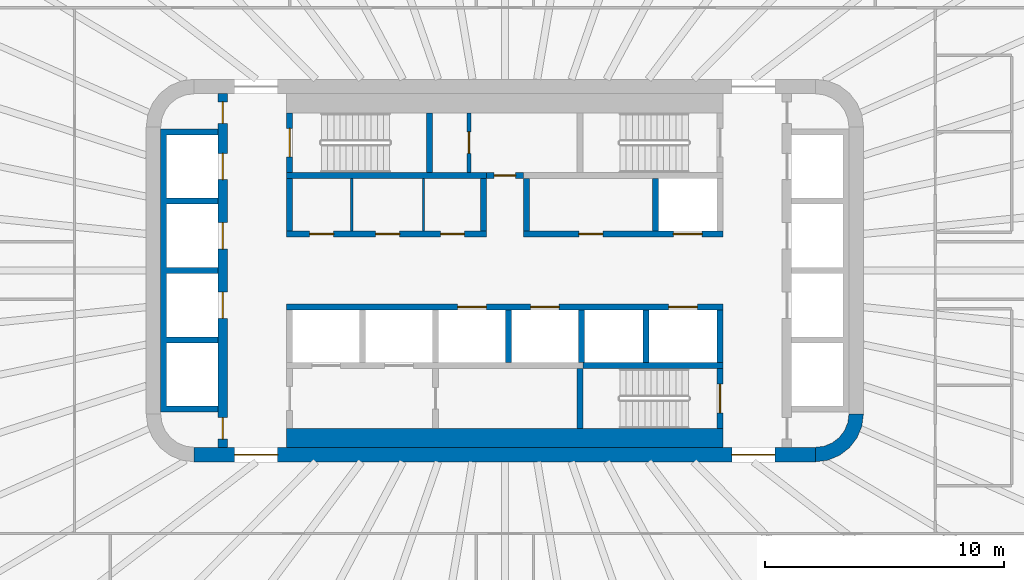
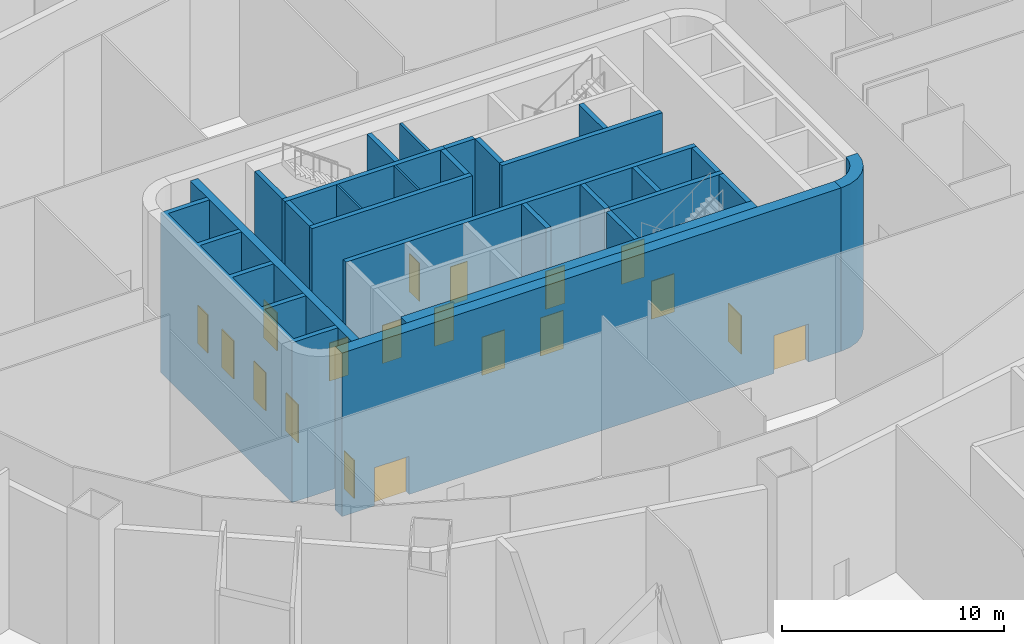
# One storey, part 9 of 35: 26 walls, 19 doors, 19 openings.
"""IFC4 building model written with IfcOpenShell, lengths in metres."""

import ifcopenshell
import ifcopenshell.guid

model = None  # the IFC model being written
_history = None  # IfcOwnerHistory: only IFC2X3 demands one
_inside = {}  # id of a spatial element -> (the spatial element, [elements in it])
_under = {}  # id of a project, library or spatial element -> (it, [spatial elements below it])
_declared = {}  # id of a project -> (the project, [libraries it declares])
_typed = {}  # id of a type object -> (the type object, [elements of that type])
_made_of = {}  # id of a material, layer set ... -> (it, [elements and type objects made of it])


def new_model(schema):
    """Start an empty IFC model of exactly this schema.

    Asked for "IFC4X3", IfcOpenShell would pick the latest addendum, in which some entities
    have other attributes; the version numbers below select the first issue.
    IFC2X3 requires an IfcOwnerHistory on every rooted entity: one is made here for all.
    """
    global model, _history
    if schema == "IFC4X3":
        model = ifcopenshell.file(schema_version=(4, 3, 0, 0))
    else:
        model = ifcopenshell.file(schema=schema)
    _inside.clear()
    _under.clear()
    _declared.clear()
    _typed.clear()
    _made_of.clear()
    _history = None
    if model.schema == "IFC2X3":
        org = make("IfcOrganization", Name="unknown")
        user = make(
            "IfcPersonAndOrganization",
            ThePerson=make("IfcPerson", FamilyName="unknown"),
            TheOrganization=org,
        )
        app = make(
            "IfcApplication",
            ApplicationDeveloper=org,
            Version="unknown",
            ApplicationFullName="unknown",
            ApplicationIdentifier="unknown",
        )
        _history = make(
            "IfcOwnerHistory",
            OwningUser=user,
            OwningApplication=app,
            ChangeAction="ADDED",
            CreationDate=0,
        )
    return model


def make(cls, **values):
    """One entity of the class cls with the attributes given. An attribute that is None is left unset."""
    return model.create_entity(
        cls, **{name: value for name, value in values.items() if value is not None}
    )


def rooted(cls, **values):
    """An entity with a GlobalId (a new one), such as an element, a storey or a relation."""
    return make(cls, GlobalId=ifcopenshell.guid.new(), OwnerHistory=_history, **values)


def si_unit(unit_type, name, prefix=None):
    """IfcSIUnit, for example si_unit("LENGTHUNIT", "METRE", prefix="MILLI")."""
    return make("IfcSIUnit", UnitType=unit_type, Prefix=prefix, Name=name)


def assignment(units):
    """IfcUnitAssignment: the units of a project."""
    return None if units is None else make("IfcUnitAssignment", Units=units)


def point(xyz):
    """IfcCartesianPoint."""
    return None if xyz is None else make("IfcCartesianPoint", Coordinates=xyz)


def direction(xyz):
    """IfcDirection."""
    return None if xyz is None else make("IfcDirection", DirectionRatios=xyz)


def frame(location, z_axis=None, x_axis=None):
    """IfcAxis2Placement3D, a coordinate frame: its origin and axes. An axis left out is left unset."""
    return make(
        "IfcAxis2Placement3D",
        Location=point(location),
        Axis=direction(z_axis),
        RefDirection=direction(x_axis),
    )


def frame_2d(location, x_axis=None):
    """IfcAxis2Placement2D, a coordinate frame in the plane: its origin and x axis."""
    return make(
        "IfcAxis2Placement2D", Location=point(location), RefDirection=direction(x_axis)
    )


def origin():
    """The frame at (0, 0, 0) with its axes left unset."""
    return frame((0.0, 0.0, 0.0))


def place(relative_to, where):
    """IfcLocalPlacement: puts the frame where relative to a parent placement (None: the world)."""
    return make(
        "IfcLocalPlacement", PlacementRelTo=relative_to, RelativePlacement=where
    )


def context(
    kind, dimensions, precision=None, world=None, true_north=None, identifier=None
):
    """IfcGeometricRepresentationContext, for example the 3D "Model" context."""
    return make(
        "IfcGeometricRepresentationContext",
        ContextIdentifier=identifier,
        ContextType=kind,
        CoordinateSpaceDimension=dimensions,
        Precision=precision,
        WorldCoordinateSystem=world,
        TrueNorth=true_north,
    )


def subcontext(parent, identifier, kind, view, scale=None):
    """IfcGeometricRepresentationSubContext, for example "Body" below "Model"."""
    return make(
        "IfcGeometricRepresentationSubContext",
        ContextIdentifier=identifier,
        ContextType=kind,
        ParentContext=parent,
        TargetScale=scale,
        TargetView=view,
    )


def project(units=None, contexts=None):
    """IfcProject with its units and contexts."""
    return rooted(
        "IfcProject",
        Name="project",
        RepresentationContexts=contexts,
        UnitsInContext=assignment(units),
    )


def spatial(cls, under=None, at=None, **own):
    """A site, building, storey or space (cls), placed at a placement, below another one or the project."""
    s = rooted(cls, ObjectPlacement=at, **own)
    if under is not None:
        _under.setdefault(under.id(), (under, []))[1].append(s)
    return s


def polyline(points):
    """IfcPolyline through the points."""
    return make("IfcPolyline", Points=[point(p) for p in points])


def profile(cls, at=None, kind="AREA", **sizes):
    """A parametric profile (cls). Its sizes go by their IFC names, for example OverallWidth=200.0."""
    return make(cls, ProfileType=kind, Position=at, **sizes)


def rectangle(**sizes):
    """IfcRectangleProfileDef."""
    return profile("IfcRectangleProfileDef", **sizes)


def outline(outer, holes=None, kind="AREA"):
    """IfcArbitraryClosedProfileDef: a profile drawn as a closed curve; with holes, ...WithVoids."""
    if holes is None:
        return make("IfcArbitraryClosedProfileDef", ProfileType=kind, OuterCurve=outer)
    return make(
        "IfcArbitraryProfileDefWithVoids",
        ProfileType=kind,
        OuterCurve=outer,
        InnerCurves=holes,
    )


def extrude(swept, where, along, depth):
    """IfcExtrudedAreaSolid: the profile swept, set in the frame where, extruded along a direction by depth."""
    return make(
        "IfcExtrudedAreaSolid",
        SweptArea=swept,
        Position=where,
        ExtrudedDirection=direction(along),
        Depth=depth,
    )


def shape(context_of_items, identifier, shape_type, items):
    """IfcShapeRepresentation: the items that make up one representation, for example the "Body"."""
    return make(
        "IfcShapeRepresentation",
        ContextOfItems=context_of_items,
        RepresentationIdentifier=identifier,
        RepresentationType=shape_type,
        Items=items,
    )


def material(Name=None, Category=None):
    """IfcMaterial."""
    return make("IfcMaterial", Name=Name, Category=Category)


def layer(
    of_material, thickness, ventilated=None, Name=None, Category=None, Priority=None
):
    """IfcMaterialLayer: one layer of a wall or slab, of a material (None: an air gap)."""
    return make(
        "IfcMaterialLayer",
        Material=of_material,
        LayerThickness=thickness,
        IsVentilated=ventilated,
        Name=Name,
        Category=Category,
        Priority=Priority,
    )


def layer_set(layers, Name=None):
    """IfcMaterialLayerSet."""
    return make("IfcMaterialLayerSet", MaterialLayers=layers, LayerSetName=Name)


def made_of(thing, what):
    """Note that an element or type object is made of a material, layer set ...; save() writes the relation."""
    if what is not None:
        _made_of.setdefault(what.id(), (what, []))[1].append(thing)
    return thing


def type_object(cls, material=None, **own):
    """A type object (cls), such as IfcWallType, which elements share."""
    return made_of(rooted(cls, **own), material)


def element(
    cls,
    number,
    at=None,
    inside=None,
    cuts=None,
    type_object=None,
    material=None,
    context=None,
    identifier="Body",
    shape_type=None,
    held_by="IfcProductDefinitionShape",
    body=None,
    shapes=None,
    **own,
):
    """One element of the class cls, such as IfcWall. Its Tag is "e" and its number.

    at: its placement. inside: the storey or other place that contains it. cuts: it is an
    opening in that element (IfcRelVoidsElement). A single representation is given by context,
    identifier, shape_type and body (its items); several are given by shapes. held_by: the class
    of the entity that holds the representations. save() writes the other relations.
    """
    e = rooted(cls, Tag="e%d" % number, ObjectPlacement=at, **own)
    if body is not None:
        shapes = [shape(context, identifier, shape_type, body)]
    if shapes is not None:
        e.Representation = make(held_by, Representations=shapes)
    if inside is not None:
        _inside.setdefault(inside.id(), (inside, []))[1].append(e)
    if cuts is not None:
        rooted(
            "IfcRelVoidsElement", RelatingBuildingElement=cuts, RelatedOpeningElement=e
        )
    if type_object is not None:
        _typed.setdefault(type_object.id(), (type_object, []))[1].append(e)
    return made_of(e, material)


def fill(opening, filler):
    """IfcRelFillsElement: the door or window that sits in an opening."""
    return rooted(
        "IfcRelFillsElement",
        RelatingOpeningElement=opening,
        RelatedBuildingElement=filler,
    )


def aggregate(whole, parts):
    """IfcRelAggregates: a whole, such as a stair, and the parts it consists of."""
    return rooted("IfcRelAggregates", RelatingObject=whole, RelatedObjects=parts)


def save(model, path):
    """Write the relations noted so far, then the file.

    IfcRelAggregates (storeys below a building ...), IfcRelContainedInSpatialStructure (elements
    in a storey), IfcRelDefinesByType, IfcRelAssociatesMaterial and IfcRelDeclares: one each for
    every whole, place, type object, material and project.
    """
    for whole, parts in _under.values():
        aggregate(whole, parts)
    for where, things in _inside.values():
        rooted(
            "IfcRelContainedInSpatialStructure",
            RelatedElements=things,
            RelatingStructure=where,
        )
    for kind, things in _typed.values():
        rooted("IfcRelDefinesByType", RelatedObjects=things, RelatingType=kind)
    for what, things in _made_of.values():
        rooted("IfcRelAssociatesMaterial", RelatedObjects=things, RelatingMaterial=what)
    for by, libraries in _declared.values():
        rooted("IfcRelDeclares", RelatingContext=by, RelatedDefinitions=libraries)
    model.write(path)


model = new_model("IFC4")

# Units and contexts
model_context = context("Model", 3, precision=1e-05, world=origin(), true_north=direction((0.0, 1.0)))
body_context = subcontext(model_context, "Body", "Model", "MODEL_VIEW")
ifc_project = project(units=[si_unit("LENGTHUNIT", "METRE"), si_unit("AREAUNIT", "SQUARE_METRE"), si_unit("VOLUMEUNIT", "CUBIC_METRE"), si_unit("PLANEANGLEUNIT", "RADIAN"), si_unit("MASSUNIT", "GRAM", prefix="KILO")], contexts=[model_context])

# Site, building, storey
site_placement = place(None, origin())
site = spatial("IfcSite", under=ifc_project, at=site_placement, CompositionType="ELEMENT")
building_placement = place(site_placement, origin())
building = spatial("IfcBuilding", under=site, at=building_placement, Name="Sahrelin Media Tower", CompositionType="ELEMENT")
storey_placement = place(building_placement, frame((0.0, 0.0, 17.0)))
storey = spatial("IfcBuildingStorey", under=building, at=storey_placement, Name="L02", CompositionType="ELEMENT", Elevation=17.0)

# Wall, openings, doors
ifc_material_1 = material(Name="Concrete C60/75", Category="concrete")
ifc_layer_1 = layer(ifc_material_1, 0.60009765625)
ifc_layer_set_1 = layer_set([ifc_layer_1], Name="Core wall 600")
wall_type_1 = type_object("IfcWallType", Name="Core wall 600", PredefinedType="SHEAR", material=ifc_layer_set_1)
wall_1_placement = place(storey_placement, frame((-13.0, -7.699951171875, 0.0), z_axis=(0.0, 0.0, 1.0), x_axis=(1.0, 0.0, 0.0)))
wall_1 = element("IfcWall", 1, at=wall_1_placement, inside=storey, type_object=wall_type_1, Name="Core wall S L02", PredefinedType="SHEAR", context=body_context, shape_type="SweptSolid", body=[
    extrude(rectangle(XDim=26.0, YDim=0.60009765625, at=frame_2d((13.0, 0.0))), origin(), (0.0, 0.0, 1.0), 9.0),
])
opening_1_placement = place(wall_1_placement, frame((1.699951171875, 0.0, 0.0)))
opening_1 = element("IfcOpeningElement", 2, at=opening_1_placement, cuts=wall_1, Name="Opening L02-D18", PredefinedType="OPENING", context=body_context, shape_type="SweptSolid", body=[
    extrude(rectangle(XDim=1.800048828125, YDim=2.10009765625, at=frame_2d((0.89990234375, 1.050048828125))), frame((0.0, 0.300048828125, 0.0), z_axis=(0.0, -1.0, 0.0), x_axis=(1.0, 0.0, 0.0)), (0.0, 0.0, 1.0), 0.60009765625),
])
opening_2_placement = place(wall_1_placement, frame((22.5, 0.0, 0.0)))
opening_2 = element("IfcOpeningElement", 3, at=opening_2_placement, cuts=wall_1, Name="Opening L02-D19", PredefinedType="OPENING", context=body_context, shape_type="SweptSolid", body=[
    extrude(rectangle(XDim=1.800048828125, YDim=2.10009765625, at=frame_2d((0.89990234375, 1.050048828125))), frame((0.0, 0.300048828125, 0.0), z_axis=(0.0, -1.0, 0.0), x_axis=(1.0, 0.0, 0.0)), (0.0, 0.0, 1.0), 0.60009765625),
])
ifc_material_2 = material(Name="Steel fire door leaf", Category="steel")
door_type_1 = type_object("IfcDoorType", Name="Lobby double door 1800 x 2100 EI 60", OperationType="DOUBLE_DOOR_SINGLE_SWING", PredefinedType="DOOR", material=ifc_material_2)
door_1_placement = place(opening_1_placement, origin())
door_1 = element("IfcDoor", 4, at=door_1_placement, inside=storey, type_object=door_type_1, Name="Lobby door", OperationType="DOUBLE_DOOR_SINGLE_SWING", OverallHeight=2.10009765625, OverallWidth=1.800048828125, PredefinedType="DOOR", context=body_context, shape_type="SweptSolid", body=[
    extrude(rectangle(XDim=1.800048828125, YDim=2.10009765625, at=frame_2d((0.89990234375, 1.050048828125))), frame((0.0, 0.02490234375, 0.0), z_axis=(0.0, -1.0, 0.0), x_axis=(1.0, 0.0, 0.0)), (0.0, 0.0, 1.0), 0.050048828125),
])
fill(opening_1, door_1)
door_2_placement = place(opening_2_placement, origin())
door_2 = element("IfcDoor", 5, at=door_2_placement, inside=storey, type_object=door_type_1, Name="Lobby door", OperationType="DOUBLE_DOOR_SINGLE_SWING", OverallHeight=2.10009765625, OverallWidth=1.800048828125, PredefinedType="DOOR", context=body_context, shape_type="SweptSolid", body=[
    extrude(rectangle(XDim=1.800048828125, YDim=2.10009765625, at=frame_2d((0.89990234375, 1.050048828125))), frame((0.0, 0.02490234375, 0.0), z_axis=(0.0, -1.0, 0.0), x_axis=(1.0, 0.0, 0.0)), (0.0, 0.0, 1.0), 0.050048828125),
])
fill(opening_2, door_2)

# Wall
placement = place(storey_placement, origin())
element("IfcWall", 6, at=placement, inside=storey, type_object=wall_type_1, Name="Core wall corner SE L02", PredefinedType="SHEAR", context=body_context, shape_type="SweptSolid", body=[
    extrude(outline(polyline([(15.0, -6.0), (14.394775390625, -6.0), (14.347412109375, -6.361083984375), (14.2080078125, -6.697509765625), (13.986328125, -6.986328125), (13.697509765625, -7.2080078125), (13.361083984375, -7.347412109375), (13.0, -7.394775390625), (13.0, -8.0), (13.517578125, -7.931884765625), (14.0, -7.732177734375), (14.414306640625, -7.414306640625), (14.732177734375, -7.0), (14.931884765625, -6.517578125), (15.0, -6.0)])), origin(), (0.0, 0.0, 1.0), 9.0),
])

# Wall, opening, door
ifc_material_3 = material(Name="Fire-rated gypsum board partition")
ifc_layer_2 = layer(ifc_material_3, 0.25)
ifc_layer_set_2 = layer_set([ifc_layer_2], Name="Fire-rated lobby wall 250")
wall_type_2 = type_object("IfcWallType", Name="Fire-rated lobby wall 250", PredefinedType="PARTITIONING", material=ifc_layer_set_2)
wall_3_placement = place(storey_placement, frame((-0.77490234375, 3.97509765625, 0.0), z_axis=(0.0, 0.0, 1.0), x_axis=(1.0, 0.0, 0.0)))
wall_3 = element("IfcWall", 7, at=wall_3_placement, inside=storey, type_object=wall_type_2, Name="Core lobby wall", PredefinedType="PARTITIONING", context=body_context, shape_type="SweptSolid", body=[
    extrude(rectangle(XDim=1.5498046875, YDim=0.25, at=frame_2d((0.77490234375, 0.0))), origin(), (0.0, 0.0, 1.0), 8.800048828125),
])
opening_3_placement = place(wall_3_placement, frame((0.324951171875, 0.0, 0.0)))
opening_3 = element("IfcOpeningElement", 8, at=opening_3_placement, cuts=wall_3, Name="Opening L02-D06", PredefinedType="OPENING", context=body_context, shape_type="SweptSolid", body=[
    extrude(rectangle(XDim=0.89990234375, YDim=2.10009765625, at=frame_2d((0.449951171875, 1.050048828125))), frame((0.0, 0.125, 0.0), z_axis=(0.0, -1.0, 0.0), x_axis=(1.0, 0.0, 0.0)), (0.0, 0.0, 1.0), 0.25),
])
door_type_2 = type_object("IfcDoorType", Name="Riser door 900 x 2100 EI 120", OperationType="NOTDEFINED", PredefinedType="DOOR", material=ifc_material_2)
door_3_placement = place(opening_3_placement, origin())
door_3 = element("IfcDoor", 9, at=door_3_placement, inside=storey, type_object=door_type_2, Name="Core room door", OperationType="SINGLE_SWING_LEFT", OverallHeight=2.10009765625, OverallWidth=0.89990234375, PredefinedType="DOOR", context=body_context, shape_type="SweptSolid", body=[
    extrude(rectangle(XDim=0.89990234375, YDim=2.10009765625, at=frame_2d((0.449951171875, 1.050048828125))), frame((0.0, 0.02490234375, 0.0), z_axis=(0.0, -1.0, 0.0), x_axis=(1.0, 0.0, 0.0)), (0.0, 0.0, 1.0), 0.050048828125),
])
fill(opening_3, door_3)

# Wall, openings, doors
wall_4_placement = place(storey_placement, frame((-9.125, 1.52490234375, 0.0), z_axis=(0.0, 0.0, 1.0), x_axis=(1.0, 0.0, 0.0)))
wall_4 = element("IfcWall", 10, at=wall_4_placement, inside=storey, type_object=wall_type_2, Name="Core lobby wall", PredefinedType="PARTITIONING", context=body_context, shape_type="SweptSolid", body=[
    extrude(rectangle(XDim=8.35009765625, YDim=0.25, at=frame_2d((4.175048828125, 0.0))), origin(), (0.0, 0.0, 1.0), 8.800048828125),
])
opening_4_placement = place(wall_4_placement, frame((0.96240234375, 0.0, 0.0)))
opening_4 = element("IfcOpeningElement", 11, at=opening_4_placement, cuts=wall_4, Name="Opening L02-D08", PredefinedType="OPENING", context=body_context, shape_type="SweptSolid", body=[
    extrude(rectangle(XDim=1.0, YDim=2.10009765625, at=frame_2d((0.5, 1.050048828125))), frame((0.0, 0.125, 0.0), z_axis=(0.0, -1.0, 0.0), x_axis=(1.0, 0.0, 0.0)), (0.0, 0.0, 1.0), 0.25),
])
opening_5_placement = place(wall_4_placement, frame((3.72509765625, 0.0, 0.0)))
opening_5 = element("IfcOpeningElement", 12, at=opening_5_placement, cuts=wall_4, Name="Opening L02-D09", PredefinedType="OPENING", context=body_context, shape_type="SweptSolid", body=[
    extrude(rectangle(XDim=1.0, YDim=2.10009765625, at=frame_2d((0.5, 1.050048828125))), frame((0.0, 0.125, 0.0), z_axis=(0.0, -1.0, 0.0), x_axis=(1.0, 0.0, 0.0)), (0.0, 0.0, 1.0), 0.25),
])
opening_6_placement = place(wall_4_placement, frame((6.4375, 0.0, 0.0)))
opening_6 = element("IfcOpeningElement", 13, at=opening_6_placement, cuts=wall_4, Name="Opening L02-D10", PredefinedType="OPENING", context=body_context, shape_type="SweptSolid", body=[
    extrude(rectangle(XDim=1.0, YDim=2.10009765625, at=frame_2d((0.5, 1.050048828125))), frame((0.0, 0.125, 0.0), z_axis=(0.0, -1.0, 0.0), x_axis=(1.0, 0.0, 0.0)), (0.0, 0.0, 1.0), 0.25),
])
door_type_3 = type_object("IfcDoorType", Name="Fire door 1000 x 2100 EI 60", OperationType="NOTDEFINED", PredefinedType="DOOR", material=ifc_material_2)
door_4_placement = place(opening_4_placement, origin())
door_4 = element("IfcDoor", 14, at=door_4_placement, inside=storey, type_object=door_type_3, Name="Core room door", OperationType="SINGLE_SWING_LEFT", OverallHeight=2.10009765625, OverallWidth=1.0, PredefinedType="DOOR", context=body_context, shape_type="SweptSolid", body=[
    extrude(rectangle(XDim=1.0, YDim=2.10009765625, at=frame_2d((0.5, 1.050048828125))), frame((0.0, 0.02490234375, 0.0), z_axis=(0.0, -1.0, 0.0), x_axis=(1.0, 0.0, 0.0)), (0.0, 0.0, 1.0), 0.050048828125),
])
fill(opening_4, door_4)
door_5_placement = place(opening_5_placement, origin())
door_5 = element("IfcDoor", 15, at=door_5_placement, inside=storey, type_object=door_type_3, Name="Core room door", OperationType="SINGLE_SWING_LEFT", OverallHeight=2.10009765625, OverallWidth=1.0, PredefinedType="DOOR", context=body_context, shape_type="SweptSolid", body=[
    extrude(rectangle(XDim=1.0, YDim=2.10009765625, at=frame_2d((0.5, 1.050048828125))), frame((0.0, 0.02490234375, 0.0), z_axis=(0.0, -1.0, 0.0), x_axis=(1.0, 0.0, 0.0)), (0.0, 0.0, 1.0), 0.050048828125),
])
fill(opening_5, door_5)
door_6_placement = place(opening_6_placement, origin())
door_6 = element("IfcDoor", 16, at=door_6_placement, inside=storey, type_object=door_type_3, Name="Core room door", OperationType="SINGLE_SWING_LEFT", OverallHeight=2.10009765625, OverallWidth=1.0, PredefinedType="DOOR", context=body_context, shape_type="SweptSolid", body=[
    extrude(rectangle(XDim=1.0, YDim=2.10009765625, at=frame_2d((0.5, 1.050048828125))), frame((0.0, 0.02490234375, 0.0), z_axis=(0.0, -1.0, 0.0), x_axis=(1.0, 0.0, 0.0)), (0.0, 0.0, 1.0), 0.050048828125),
])
fill(opening_6, door_6)

# Walls
for number, where, z_axis, x_axis, name in (
    (17, (-9.0, 1.64990234375, 0.0), (0.0, 0.0, 1.0), (0.0, 1.0, 0.0), "Core lobby wall"),
    (18, (-0.89990234375, 1.64990234375, 0.0), (0.0, 0.0, 1.0), (0.0, 1.0, 0.0), "Core lobby wall"),
    (19, (0.89990234375, 1.64990234375, 0.0), (0.0, 0.0, 1.0), (0.0, 1.0, 0.0), "Core lobby wall"),
):
    element("IfcWall", number, at=place(storey_placement, frame(where, z_axis=z_axis, x_axis=x_axis)), inside=storey, type_object=wall_type_2, Name=name, PredefinedType="PARTITIONING", context=body_context, shape_type="SweptSolid", body=[
        extrude(rectangle(XDim=2.2001953125, YDim=0.25, at=frame_2d((1.10009765625, 0.0))), origin(), (0.0, 0.0, 1.0), 8.800048828125),
    ])
ifc_layer_3 = layer(ifc_material_3, 0.10009765625)
ifc_layer_set_3 = layer_set([ifc_layer_3], Name="Fire-rated partition 100")
wall_type_3 = type_object("IfcWallType", Name="Fire-rated partition 100", PredefinedType="PARTITIONING", material=ifc_layer_set_3)
for number, where, z_axis, x_axis, name in (
    (20, (-6.39990234375, 1.64990234375, 0.0), (0.0, 0.0, 1.0), (0.0, 1.0, 0.0), "Core room partition"),
    (21, (-3.39990234375, 1.64990234375, 0.0), (0.0, 0.0, 1.0), (0.0, 1.0, 0.0), "Core room partition"),
):
    element("IfcWall", number, at=place(storey_placement, frame(where, z_axis=z_axis, x_axis=x_axis)), inside=storey, type_object=wall_type_3, Name=name, PredefinedType="PARTITIONING", context=body_context, shape_type="SweptSolid", body=[
        extrude(rectangle(XDim=2.2001953125, YDim=0.10009765625, at=frame_2d((1.10009765625, 0.0))), origin(), (0.0, 0.0, 1.0), 8.800048828125),
    ])

# Wall, opening, door
ifc_layer_4 = layer(ifc_material_3, 0.14990234375)
ifc_layer_set_4 = layer_set([ifc_layer_4], Name="Fire-rated partition 150")
wall_type_4 = type_object("IfcWallType", Name="Fire-rated partition 150", PredefinedType="PARTITIONING", material=ifc_layer_set_4)
wall_5_placement = place(storey_placement, frame((-1.5, 4.10009765625, 0.0), z_axis=(0.0, 0.0, 1.0), x_axis=(0.0, 1.0, 0.0)))
wall_5 = element("IfcWall", 22, at=wall_5_placement, inside=storey, type_object=wall_type_4, Name="Core room fire partition", PredefinedType="PARTITIONING", context=body_context, shape_type="SweptSolid", body=[
    extrude(rectangle(XDim=2.5, YDim=0.14990234375, at=frame_2d((1.25, 0.0))), origin(), (0.0, 0.0, 1.0), 8.800048828125),
])
opening_7_placement = place(wall_5_placement, frame((0.800048828125, 0.0, 0.0)))
opening_7 = element("IfcOpeningElement", 23, at=opening_7_placement, cuts=wall_5, Name="Opening L02-D07", PredefinedType="OPENING", context=body_context, shape_type="SweptSolid", body=[
    extrude(rectangle(XDim=0.89990234375, YDim=2.10009765625, at=frame_2d((0.449951171875, 1.050048828125))), frame((0.0, 0.074951171875, 0.0), z_axis=(0.0, -1.0, 0.0), x_axis=(1.0, 0.0, 0.0)), (0.0, 0.0, 1.0), 0.14990234375),
])
door_type_4 = type_object("IfcDoorType", Name="Fire door 900 x 2100 EI 60", OperationType="NOTDEFINED", PredefinedType="DOOR", material=ifc_material_2)
door_7_placement = place(opening_7_placement, origin())
door_7 = element("IfcDoor", 24, at=door_7_placement, inside=storey, type_object=door_type_4, Name="Core room door", OperationType="SINGLE_SWING_LEFT", OverallHeight=2.10009765625, OverallWidth=0.89990234375, PredefinedType="DOOR", context=body_context, shape_type="SweptSolid", body=[
    extrude(rectangle(XDim=0.89990234375, YDim=2.10009765625, at=frame_2d((0.449951171875, 1.050048828125))), frame((0.0, 0.02490234375, 0.0), z_axis=(0.0, -1.0, 0.0), x_axis=(1.0, 0.0, 0.0)), (0.0, 0.0, 1.0), 0.050048828125),
])
fill(opening_7, door_7)

# Wall, openings, doors
ifc_layer_5 = layer(ifc_material_1, 0.25)
ifc_layer_set_5 = layer_set([ifc_layer_5], Name="Lift shaft wall 250")
wall_type_5 = type_object("IfcWallType", Name="Lift shaft wall 250", PredefinedType="SOLIDWALL", material=ifc_layer_set_5)
wall_6_placement = place(storey_placement, frame((0.77490234375, 1.52490234375, 0.0), z_axis=(0.0, 0.0, 1.0), x_axis=(1.0, 0.0, 0.0)))
wall_6 = element("IfcWall", 25, at=wall_6_placement, inside=storey, type_object=wall_type_5, Name="Lift shaft wall", PredefinedType="SOLIDWALL", context=body_context, shape_type="SweptSolid", body=[
    extrude(rectangle(XDim=8.35009765625, YDim=0.25, at=frame_2d((4.175048828125, 0.0))), origin(), (0.0, 0.0, 1.0), 8.800048828125),
])
opening_8_placement = place(wall_6_placement, frame((6.27490234375, 0.0, 0.0)))
opening_8 = element("IfcOpeningElement", 26, at=opening_8_placement, cuts=wall_6, Name="Opening L02-LD-PR2", PredefinedType="OPENING", context=body_context, shape_type="SweptSolid", body=[
    extrude(rectangle(XDim=1.199951171875, YDim=2.10009765625, at=frame_2d((0.60009765625, 1.050048828125))), frame((0.0, 0.125, 0.0), z_axis=(0.0, -1.0, 0.0), x_axis=(1.0, 0.0, 0.0)), (0.0, 0.0, 1.0), 0.25),
])
opening_9_placement = place(wall_6_placement, frame((2.324951171875, 0.0, 0.0)))
opening_9 = element("IfcOpeningElement", 27, at=opening_9_placement, cuts=wall_6, Name="Opening L02-D11", PredefinedType="OPENING", context=body_context, shape_type="SweptSolid", body=[
    extrude(rectangle(XDim=1.0, YDim=2.10009765625, at=frame_2d((0.5, 1.050048828125))), frame((0.0, 0.125, 0.0), z_axis=(0.0, -1.0, 0.0), x_axis=(1.0, 0.0, 0.0)), (0.0, 0.0, 1.0), 0.25),
])
door_8_placement = place(opening_9_placement, origin())
door_8 = element("IfcDoor", 28, at=door_8_placement, inside=storey, type_object=door_type_3, Name="Core room door", OperationType="SINGLE_SWING_LEFT", OverallHeight=2.10009765625, OverallWidth=1.0, PredefinedType="DOOR", context=body_context, shape_type="SweptSolid", body=[
    extrude(rectangle(XDim=1.0, YDim=2.10009765625, at=frame_2d((0.5, 1.050048828125))), frame((0.0, 0.02490234375, 0.0), z_axis=(0.0, -1.0, 0.0), x_axis=(1.0, 0.0, 0.0)), (0.0, 0.0, 1.0), 0.050048828125),
])
fill(opening_9, door_8)
ifc_material_4 = material(Name="Stainless steel", Category="steel")
door_type_5 = type_object("IfcDoorType", Name="Lift landing door 1200 x 2100 EI 120", OperationType="DOUBLE_DOOR_SLIDING", PredefinedType="DOOR", material=ifc_material_4)
door_9_placement = place(opening_8_placement, origin())
door_9 = element("IfcDoor", 29, at=door_9_placement, inside=storey, type_object=door_type_5, Name="Lift landing door PR2", OperationType="DOUBLE_DOOR_SLIDING", OverallHeight=2.10009765625, OverallWidth=1.199951171875, PredefinedType="DOOR", context=body_context, shape_type="SweptSolid", body=[
    extrude(rectangle(XDim=1.199951171875, YDim=2.10009765625, at=frame_2d((0.60009765625, 1.050048828125))), frame((0.0, 0.02490234375, 0.0), z_axis=(0.0, -1.0, 0.0), x_axis=(1.0, 0.0, 0.0)), (0.0, 0.0, 1.0), 0.050048828125),
])
fill(opening_8, door_9)

# Wall
wall_7_placement = place(storey_placement, frame((6.300048828125, 1.64990234375, 0.0), z_axis=(0.0, 0.0, 1.0), x_axis=(0.0, 1.0, 0.0)))
element("IfcWall", 30, at=wall_7_placement, inside=storey, type_object=wall_type_5, Name="Lift shaft wall", PredefinedType="SOLIDWALL", context=body_context, shape_type="SweptSolid", body=[
    extrude(rectangle(XDim=2.2001953125, YDim=0.25, at=frame_2d((1.10009765625, 0.0))), origin(), (0.0, 0.0, 1.0), 8.800048828125),
])

# Wall, openings, doors
wall_8_placement = place(storey_placement, frame((-9.125, -1.52490234375, 0.0), z_axis=(0.0, 0.0, 1.0), x_axis=(1.0, 0.0, 0.0)))
wall_8 = element("IfcWall", 31, at=wall_8_placement, inside=storey, type_object=wall_type_5, Name="Lift shaft wall", PredefinedType="SOLIDWALL", context=body_context, shape_type="SweptSolid", body=[
    extrude(rectangle(XDim=18.25, YDim=0.25, at=frame_2d((9.125, 0.0))), origin(), (0.0, 0.0, 1.0), 8.800048828125),
])
opening_10_placement = place(wall_8_placement, frame((7.14990234375, 0.0, 0.0)))
opening_10 = element("IfcOpeningElement", 32, at=opening_10_placement, cuts=wall_8, Name="Opening L02-LD-SV1", PredefinedType="OPENING", context=body_context, shape_type="SweptSolid", body=[
    extrude(rectangle(XDim=1.199951171875, YDim=2.10009765625, at=frame_2d((0.60009765625, 1.050048828125))), frame((0.0, 0.125, 0.0), z_axis=(0.0, -1.0, 0.0), x_axis=(1.0, 0.0, 0.0)), (0.0, 0.0, 1.0), 0.25),
])
opening_11_placement = place(wall_8_placement, frame((10.199951171875, 0.0, 0.0)))
opening_11 = element("IfcOpeningElement", 33, at=opening_11_placement, cuts=wall_8, Name="Opening L02-LD-SV2", PredefinedType="OPENING", context=body_context, shape_type="SweptSolid", body=[
    extrude(rectangle(XDim=1.199951171875, YDim=2.10009765625, at=frame_2d((0.60009765625, 1.050048828125))), frame((0.0, 0.125, 0.0), z_axis=(0.0, -1.0, 0.0), x_axis=(1.0, 0.0, 0.0)), (0.0, 0.0, 1.0), 0.25),
])
opening_12_placement = place(wall_8_placement, frame((15.97509765625, 0.0, 0.0)))
opening_12 = element("IfcOpeningElement", 34, at=opening_12_placement, cuts=wall_8, Name="Opening L02-LD-PR1", PredefinedType="OPENING", context=body_context, shape_type="SweptSolid", body=[
    extrude(rectangle(XDim=1.199951171875, YDim=2.10009765625, at=frame_2d((0.60009765625, 1.050048828125))), frame((0.0, 0.125, 0.0), z_axis=(0.0, -1.0, 0.0), x_axis=(1.0, 0.0, 0.0)), (0.0, 0.0, 1.0), 0.25),
])
door_10_placement = place(opening_10_placement, origin())
door_10 = element("IfcDoor", 35, at=door_10_placement, inside=storey, type_object=door_type_5, Name="Lift landing door SV1", OperationType="DOUBLE_DOOR_SLIDING", OverallHeight=2.10009765625, OverallWidth=1.199951171875, PredefinedType="DOOR", context=body_context, shape_type="SweptSolid", body=[
    extrude(rectangle(XDim=1.199951171875, YDim=2.10009765625, at=frame_2d((0.60009765625, 1.050048828125))), frame((0.0, 0.02490234375, 0.0), z_axis=(0.0, -1.0, 0.0), x_axis=(1.0, 0.0, 0.0)), (0.0, 0.0, 1.0), 0.050048828125),
])
fill(opening_10, door_10)
door_11_placement = place(opening_11_placement, origin())
door_11 = element("IfcDoor", 36, at=door_11_placement, inside=storey, type_object=door_type_5, Name="Lift landing door SV2", OperationType="DOUBLE_DOOR_SLIDING", OverallHeight=2.10009765625, OverallWidth=1.199951171875, PredefinedType="DOOR", context=body_context, shape_type="SweptSolid", body=[
    extrude(rectangle(XDim=1.199951171875, YDim=2.10009765625, at=frame_2d((0.60009765625, 1.050048828125))), frame((0.0, 0.02490234375, 0.0), z_axis=(0.0, -1.0, 0.0), x_axis=(1.0, 0.0, 0.0)), (0.0, 0.0, 1.0), 0.050048828125),
])
fill(opening_11, door_11)
door_12_placement = place(opening_12_placement, origin())
door_12 = element("IfcDoor", 37, at=door_12_placement, inside=storey, type_object=door_type_5, Name="Lift landing door PR1", OperationType="DOUBLE_DOOR_SLIDING", OverallHeight=2.10009765625, OverallWidth=1.199951171875, PredefinedType="DOOR", context=body_context, shape_type="SweptSolid", body=[
    extrude(rectangle(XDim=1.199951171875, YDim=2.10009765625, at=frame_2d((0.60009765625, 1.050048828125))), frame((0.0, 0.02490234375, 0.0), z_axis=(0.0, -1.0, 0.0), x_axis=(1.0, 0.0, 0.0)), (0.0, 0.0, 1.0), 0.050048828125),
])
fill(opening_12, door_12)

# Walls
wall_9_placement = place(storey_placement, frame((3.27490234375, -3.97509765625, 0.0), z_axis=(0.0, 0.0, 1.0), x_axis=(1.0, 0.0, 0.0)))
element("IfcWall", 38, at=wall_9_placement, inside=storey, type_object=wall_type_5, Name="Lift shaft wall", PredefinedType="SOLIDWALL", context=body_context, shape_type="SweptSolid", body=[
    extrude(rectangle(XDim=5.85009765625, YDim=0.25, at=frame_2d((2.925048828125, 0.0))), origin(), (0.0, 0.0, 1.0), 8.800048828125),
])
for number, where, z_axis, x_axis, name in (
    (39, (0.14990234375, -3.85009765625, 0.0), (0.0, 0.0, 1.0), (0.0, 1.0, 0.0), "Lift shaft wall"),
    (40, (3.199951171875, -3.85009765625, 0.0), (0.0, 0.0, 1.0), (0.0, 1.0, 0.0), "Lift shaft wall"),
    (41, (5.89990234375, -3.85009765625, 0.0), (0.0, 0.0, 1.0), (0.0, 1.0, 0.0), "Lift shaft wall"),
    (42, (9.0, -3.85009765625, 0.0), (0.0, 0.0, 1.0), (0.0, 1.0, 0.0), "Lift shaft wall"),
):
    element("IfcWall", number, at=place(storey_placement, frame(where, z_axis=z_axis, x_axis=x_axis)), inside=storey, type_object=wall_type_5, Name=name, PredefinedType="SOLIDWALL", context=body_context, shape_type="SweptSolid", body=[
        extrude(rectangle(XDim=2.2001953125, YDim=0.25, at=frame_2d((1.10009765625, 0.0))), origin(), (0.0, 0.0, 1.0), 8.800048828125),
    ])
element("IfcWall", 43, at=placement, inside=storey, type_object=wall_type_5, Name="Lift shaft wall", PredefinedType="SOLIDWALL", context=body_context, shape_type="SweptSolid", body=[
    extrude(outline(polyline([(-12.0, -5.925048828125), (-12.0, -5.675048828125), (-14.14990234375, -5.675048828125), (-14.14990234375, -3.02490234375), (-12.0, -3.02490234375), (-12.0, -2.77490234375), (-14.14990234375, -2.77490234375), (-14.14990234375, -0.125), (-12.0, -0.125), (-12.0, 0.125), (-14.14990234375, 0.125), (-14.14990234375, 2.77490234375), (-12.0, 2.77490234375), (-12.0, 3.02490234375), (-14.14990234375, 3.02490234375), (-14.14990234375, 5.675048828125), (-12.0, 5.675048828125), (-12.0, 5.925048828125), (-14.14990234375, 5.925048828125), (-14.39990234375, 5.925048828125), (-14.39990234375, 5.675048828125), (-14.39990234375, 3.02490234375), (-14.39990234375, 2.77490234375), (-14.39990234375, 0.125), (-14.39990234375, -0.125), (-14.39990234375, -2.77490234375), (-14.39990234375, -3.02490234375), (-14.39990234375, -5.675048828125), (-14.39990234375, -5.925048828125), (-14.14990234375, -5.925048828125), (-12.0, -5.925048828125)])), origin(), (0.0, 0.0, 1.0), 8.800048828125),
])

# Wall, openings, doors
ifc_layer_6 = layer(ifc_material_1, 0.39990234375)
ifc_layer_set_6 = layer_set([ifc_layer_6], Name="Lift shaft wall 400")
wall_type_6 = type_object("IfcWallType", Name="Lift shaft wall 400", PredefinedType="SOLIDWALL", material=ifc_layer_set_6)
wall_11_placement = place(storey_placement, frame((-11.800048828125, -7.39990234375, 0.0), z_axis=(0.0, 0.0, 1.0), x_axis=(0.0, 1.0, 0.0)))
wall_11 = element("IfcWall", 44, at=wall_11_placement, inside=storey, type_object=wall_type_6, Name="Lift shaft wall", PredefinedType="SOLIDWALL", context=body_context, shape_type="SweptSolid", body=[
    extrude(rectangle(XDim=14.7998046875, YDim=0.39990234375, at=frame_2d((7.39990234375, 0.0))), origin(), (0.0, 0.0, 1.0), 8.800048828125),
])
opening_13_placement = place(wall_11_placement, frame((11.199951171875, 0.0, 0.0)))
opening_13 = element("IfcOpeningElement", 45, at=opening_13_placement, cuts=wall_11, Name="Opening L02-LD-LR1", PredefinedType="OPENING", context=body_context, shape_type="SweptSolid", body=[
    extrude(rectangle(XDim=1.10009765625, YDim=2.10009765625, at=frame_2d((0.550048828125, 1.050048828125))), frame((0.0, 0.199951171875, 0.0), z_axis=(0.0, -1.0, 0.0), x_axis=(1.0, 0.0, 0.0)), (0.0, 0.0, 1.0), 0.39990234375),
])
opening_14_placement = place(wall_11_placement, frame((8.300048828125, 0.0, 0.0)))
opening_14 = element("IfcOpeningElement", 46, at=opening_14_placement, cuts=wall_11, Name="Opening L02-LD-LR2", PredefinedType="OPENING", context=body_context, shape_type="SweptSolid", body=[
    extrude(rectangle(XDim=1.10009765625, YDim=2.10009765625, at=frame_2d((0.550048828125, 1.050048828125))), frame((0.0, 0.199951171875, 0.0), z_axis=(0.0, -1.0, 0.0), x_axis=(1.0, 0.0, 0.0)), (0.0, 0.0, 1.0), 0.39990234375),
])
opening_15_placement = place(wall_11_placement, frame((5.39990234375, 0.0, 0.0)))
opening_15 = element("IfcOpeningElement", 47, at=opening_15_placement, cuts=wall_11, Name="Opening L02-LD-LR3", PredefinedType="OPENING", context=body_context, shape_type="SweptSolid", body=[
    extrude(rectangle(XDim=1.10009765625, YDim=2.10009765625, at=frame_2d((0.550048828125, 1.050048828125))), frame((0.0, 0.199951171875, 0.0), z_axis=(0.0, -1.0, 0.0), x_axis=(1.0, 0.0, 0.0)), (0.0, 0.0, 1.0), 0.39990234375),
])
opening_16_placement = place(wall_11_placement, frame((13.552490234375, 0.0, 0.0)))
opening_16 = element("IfcOpeningElement", 48, at=opening_16_placement, cuts=wall_11, Name="Opening L02-D12", PredefinedType="OPENING", context=body_context, shape_type="SweptSolid", body=[
    extrude(rectangle(XDim=0.89990234375, YDim=2.10009765625, at=frame_2d((0.449951171875, 1.050048828125))), frame((0.0, 0.199951171875, 0.0), z_axis=(0.0, -1.0, 0.0), x_axis=(1.0, 0.0, 0.0)), (0.0, 0.0, 1.0), 0.39990234375),
])
opening_17_placement = place(wall_11_placement, frame((0.347412109375, 0.0, 0.0)))
opening_17 = element("IfcOpeningElement", 49, at=opening_17_placement, cuts=wall_11, Name="Opening L02-D13", PredefinedType="OPENING", context=body_context, shape_type="SweptSolid", body=[
    extrude(rectangle(XDim=0.89990234375, YDim=2.10009765625, at=frame_2d((0.449951171875, 1.050048828125))), frame((0.0, 0.199951171875, 0.0), z_axis=(0.0, -1.0, 0.0), x_axis=(1.0, 0.0, 0.0)), (0.0, 0.0, 1.0), 0.39990234375),
])
door_type_6 = type_object("IfcDoorType", Name="Lift landing door 1100 x 2100 EI 120", OperationType="DOUBLE_DOOR_SLIDING", PredefinedType="DOOR", material=ifc_material_4)
door_13_placement = place(opening_13_placement, origin())
door_13 = element("IfcDoor", 50, at=door_13_placement, inside=storey, type_object=door_type_6, Name="Lift landing door LR1", OperationType="DOUBLE_DOOR_SLIDING", OverallHeight=2.10009765625, OverallWidth=1.10009765625, PredefinedType="DOOR", context=body_context, shape_type="SweptSolid", body=[
    extrude(rectangle(XDim=1.10009765625, YDim=2.10009765625, at=frame_2d((0.550048828125, 1.050048828125))), frame((0.0, 0.02490234375, 0.0), z_axis=(0.0, -1.0, 0.0), x_axis=(1.0, 0.0, 0.0)), (0.0, 0.0, 1.0), 0.050048828125),
])
fill(opening_13, door_13)
door_14_placement = place(opening_14_placement, origin())
door_14 = element("IfcDoor", 51, at=door_14_placement, inside=storey, type_object=door_type_6, Name="Lift landing door LR2", OperationType="DOUBLE_DOOR_SLIDING", OverallHeight=2.10009765625, OverallWidth=1.10009765625, PredefinedType="DOOR", context=body_context, shape_type="SweptSolid", body=[
    extrude(rectangle(XDim=1.10009765625, YDim=2.10009765625, at=frame_2d((0.550048828125, 1.050048828125))), frame((0.0, 0.02490234375, 0.0), z_axis=(0.0, -1.0, 0.0), x_axis=(1.0, 0.0, 0.0)), (0.0, 0.0, 1.0), 0.050048828125),
])
fill(opening_14, door_14)
door_15_placement = place(opening_15_placement, origin())
door_15 = element("IfcDoor", 52, at=door_15_placement, inside=storey, type_object=door_type_6, Name="Lift landing door LR3", OperationType="DOUBLE_DOOR_SLIDING", OverallHeight=2.10009765625, OverallWidth=1.10009765625, PredefinedType="DOOR", context=body_context, shape_type="SweptSolid", body=[
    extrude(rectangle(XDim=1.10009765625, YDim=2.10009765625, at=frame_2d((0.550048828125, 1.050048828125))), frame((0.0, 0.02490234375, 0.0), z_axis=(0.0, -1.0, 0.0), x_axis=(1.0, 0.0, 0.0)), (0.0, 0.0, 1.0), 0.050048828125),
])
fill(opening_15, door_15)
door_16_placement = place(opening_16_placement, origin())
door_16 = element("IfcDoor", 53, at=door_16_placement, inside=storey, type_object=door_type_2, Name="Riser door", OperationType="SINGLE_SWING_LEFT", OverallHeight=2.10009765625, OverallWidth=0.89990234375, PredefinedType="DOOR", context=body_context, shape_type="SweptSolid", body=[
    extrude(rectangle(XDim=0.89990234375, YDim=2.10009765625, at=frame_2d((0.449951171875, 1.050048828125))), frame((0.0, 0.02490234375, 0.0), z_axis=(0.0, -1.0, 0.0), x_axis=(1.0, 0.0, 0.0)), (0.0, 0.0, 1.0), 0.050048828125),
])
fill(opening_16, door_16)
door_17_placement = place(opening_17_placement, origin())
door_17 = element("IfcDoor", 54, at=door_17_placement, inside=storey, type_object=door_type_2, Name="Riser door", OperationType="SINGLE_SWING_LEFT", OverallHeight=2.10009765625, OverallWidth=0.89990234375, PredefinedType="DOOR", context=body_context, shape_type="SweptSolid", body=[
    extrude(rectangle(XDim=0.89990234375, YDim=2.10009765625, at=frame_2d((0.449951171875, 1.050048828125))), frame((0.0, 0.02490234375, 0.0), z_axis=(0.0, -1.0, 0.0), x_axis=(1.0, 0.0, 0.0)), (0.0, 0.0, 1.0), 0.050048828125),
])
fill(opening_17, door_17)

# Wall, opening, door
ifc_layer_7 = layer(ifc_material_1, 0.25)
ifc_layer_set_7 = layer_set([ifc_layer_7], Name="Stair enclosure wall 250")
wall_type_7 = type_object("IfcWallType", Name="Stair enclosure wall 250", PredefinedType="SOLIDWALL", material=ifc_layer_set_7)
wall_12_placement = place(storey_placement, frame((-9.0, 4.10009765625, 0.0), z_axis=(0.0, 0.0, 1.0), x_axis=(0.0, 1.0, 0.0)))
wall_12 = element("IfcWall", 55, at=wall_12_placement, inside=storey, type_object=wall_type_7, Name="Stair enclosure wall", PredefinedType="SOLIDWALL", context=body_context, shape_type="SweptSolid", body=[
    extrude(rectangle(XDim=2.5, YDim=0.25, at=frame_2d((1.25, 0.0))), origin(), (0.0, 0.0, 1.0), 8.800048828125),
])
opening_18_placement = place(wall_12_placement, frame((0.64990234375, 0.0, 0.0)))
opening_18 = element("IfcOpeningElement", 56, at=opening_18_placement, cuts=wall_12, Name="Opening L02-D01", PredefinedType="OPENING", context=body_context, shape_type="SweptSolid", body=[
    extrude(rectangle(XDim=1.199951171875, YDim=2.10009765625, at=frame_2d((0.60009765625, 1.050048828125))), frame((0.0, 0.125, 0.0), z_axis=(0.0, -1.0, 0.0), x_axis=(1.0, 0.0, 0.0)), (0.0, 0.0, 1.0), 0.25),
])
door_type_7 = type_object("IfcDoorType", Name="Stair door 1200 x 2100 EI 120", OperationType="NOTDEFINED", PredefinedType="DOOR", material=ifc_material_2)
door_18_placement = place(opening_18_placement, origin())
door_18 = element("IfcDoor", 57, at=door_18_placement, inside=storey, type_object=door_type_7, Name="Stair door ST1", OperationType="SINGLE_SWING_RIGHT", OverallHeight=2.10009765625, OverallWidth=1.199951171875, PredefinedType="DOOR", context=body_context, shape_type="SweptSolid", body=[
    extrude(rectangle(XDim=1.199951171875, YDim=2.10009765625, at=frame_2d((0.60009765625, 1.050048828125))), frame((0.0, 0.02490234375, 0.0), z_axis=(0.0, -1.0, 0.0), x_axis=(1.0, 0.0, 0.0)), (0.0, 0.0, 1.0), 0.050048828125),
])
fill(opening_18, door_18)

wall_13_placement = place(storey_placement, frame((9.0, -6.60009765625, 0.0), z_axis=(0.0, 0.0, 1.0), x_axis=(0.0, 1.0, 0.0)))
wall_13 = element("IfcWall", 58, at=wall_13_placement, inside=storey, type_object=wall_type_7, Name="Stair enclosure wall", PredefinedType="SOLIDWALL", context=body_context, shape_type="SweptSolid", body=[
    extrude(rectangle(XDim=2.5, YDim=0.25, at=frame_2d((1.25, 0.0))), origin(), (0.0, 0.0, 1.0), 8.800048828125),
])
opening_19_placement = place(wall_13_placement, frame((0.64990234375, 0.0, 0.0)))
opening_19 = element("IfcOpeningElement", 59, at=opening_19_placement, cuts=wall_13, Name="Opening L02-D03", PredefinedType="OPENING", context=body_context, shape_type="SweptSolid", body=[
    extrude(rectangle(XDim=1.199951171875, YDim=2.10009765625, at=frame_2d((0.60009765625, 1.050048828125))), frame((0.0, 0.125, 0.0), z_axis=(0.0, -1.0, 0.0), x_axis=(1.0, 0.0, 0.0)), (0.0, 0.0, 1.0), 0.25),
])
door_19_placement = place(opening_19_placement, origin())
door_19 = element("IfcDoor", 60, at=door_19_placement, inside=storey, type_object=door_type_7, Name="Stair door ST2", OperationType="SINGLE_SWING_LEFT", OverallHeight=2.10009765625, OverallWidth=1.199951171875, PredefinedType="DOOR", context=body_context, shape_type="SweptSolid", body=[
    extrude(rectangle(XDim=1.199951171875, YDim=2.10009765625, at=frame_2d((0.60009765625, 1.050048828125))), frame((0.0, 0.02490234375, 0.0), z_axis=(0.0, -1.0, 0.0), x_axis=(1.0, 0.0, 0.0)), (0.0, 0.0, 1.0), 0.050048828125),
])
fill(opening_19, door_19)

# Walls
for number, where, z_axis, x_axis, name in (
    (61, (-3.14990234375, 4.10009765625, 0.0), (0.0, 0.0, 1.0), (0.0, 1.0, 0.0), "Stair enclosure wall"),
    (62, (3.14990234375, -6.60009765625, 0.0), (0.0, 0.0, 1.0), (0.0, 1.0, 0.0), "Stair enclosure wall"),
):
    element("IfcWall", number, at=place(storey_placement, frame(where, z_axis=z_axis, x_axis=x_axis)), inside=storey, type_object=wall_type_7, Name=name, PredefinedType="SOLIDWALL", context=body_context, shape_type="SweptSolid", body=[
        extrude(rectangle(XDim=2.5, YDim=0.25, at=frame_2d((1.25, 0.0))), origin(), (0.0, 0.0, 1.0), 8.800048828125),
    ])
wall_14_placement = place(storey_placement, frame((-9.125, 3.97509765625, 0.0), z_axis=(0.0, 0.0, 1.0), x_axis=(1.0, 0.0, 0.0)))
element("IfcWall", 63, at=wall_14_placement, inside=storey, type_object=wall_type_7, Name="Stair enclosure wall", PredefinedType="SOLIDWALL", context=body_context, shape_type="SweptSolid", body=[
    extrude(rectangle(XDim=8.35009765625, YDim=0.25, at=frame_2d((4.175048828125, 0.0))), origin(), (0.0, 0.0, 1.0), 8.800048828125),
])
ifc_layer_8 = layer(ifc_material_1, 0.800048828125)
ifc_layer_set_8 = layer_set([ifc_layer_8], Name="Stair enclosure wall 800")
wall_type_8 = type_object("IfcWallType", Name="Stair enclosure wall 800", PredefinedType="SOLIDWALL", material=ifc_layer_set_8)
wall_15_placement = place(storey_placement, frame((-9.125, -7.0, 0.0), z_axis=(0.0, 0.0, 1.0), x_axis=(1.0, 0.0, 0.0)))
element("IfcWall", 64, at=wall_15_placement, inside=storey, type_object=wall_type_8, Name="Stair enclosure wall", PredefinedType="SOLIDWALL", context=body_context, shape_type="SweptSolid", body=[
    extrude(rectangle(XDim=18.25, YDim=0.800048828125, at=frame_2d((9.125, 0.0))), origin(), (0.0, 0.0, 1.0), 8.800048828125),
])

save(model, "model.ifc")
